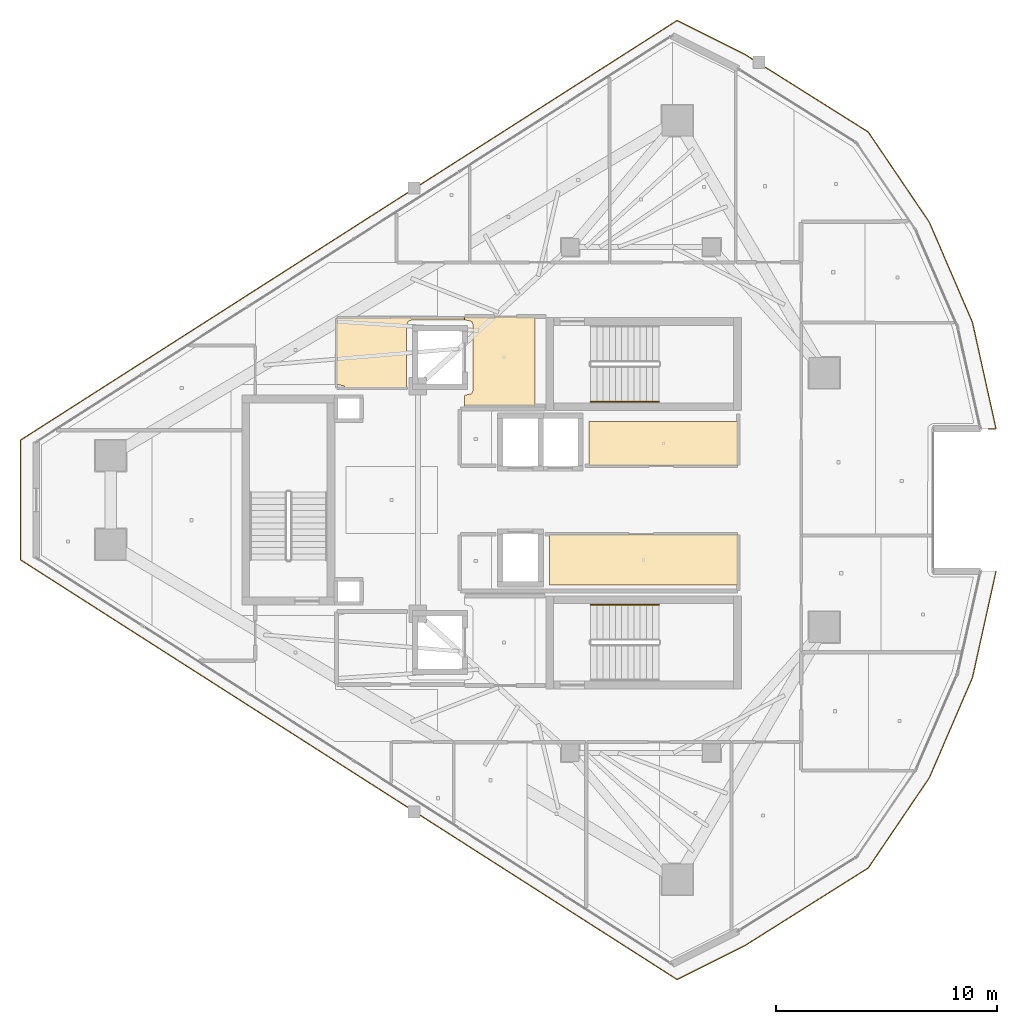
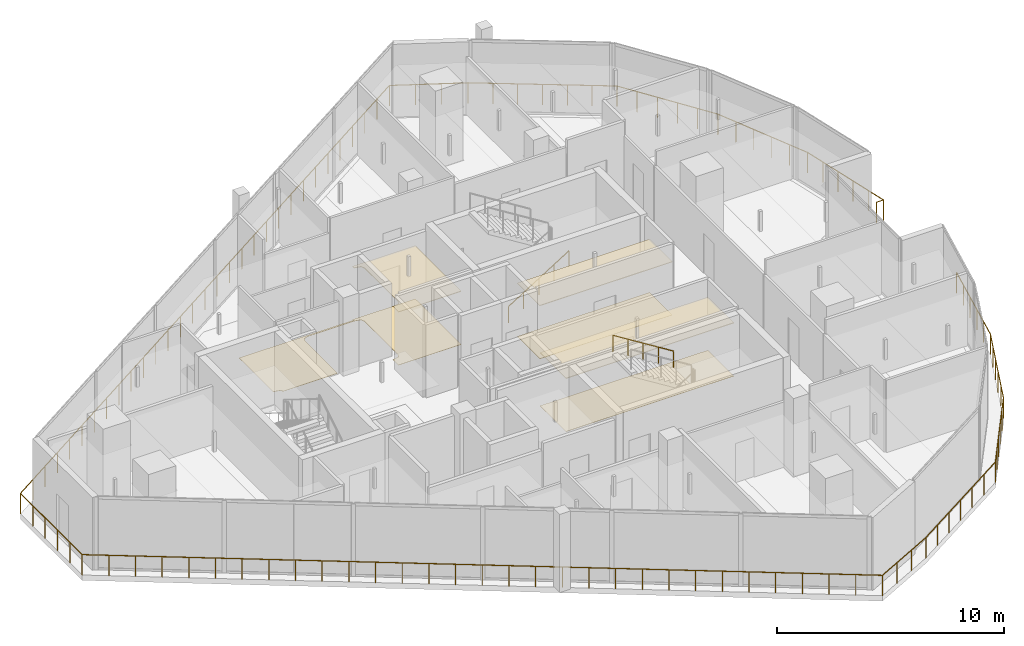
# One storey, part 22 of 24: 7 coverings, 3 railings.
"""IFC4 building model written with IfcOpenShell, lengths in metres."""

from ifc_helpers import new_model, si_unit, direction, frame, origin, origin_2d, place, context, subcontext, project, spatial, polyline, circle, outline, extrude, material, layer, layer_set, type_object, element, save


model = new_model("IFC4")

# Units and contexts
model_context = context("Model", 3, precision=1e-05, world=origin(), true_north=direction((0.0, 1.0)))
body_context = subcontext(model_context, "Body", "Model", "MODEL_VIEW")
ifc_project = project(units=[si_unit("LENGTHUNIT", "METRE"), si_unit("AREAUNIT", "SQUARE_METRE"), si_unit("VOLUMEUNIT", "CUBIC_METRE"), si_unit("PLANEANGLEUNIT", "RADIAN"), si_unit("MASSUNIT", "GRAM", prefix="KILO")], contexts=[model_context])

# Site, building, storey
site_placement = place(None, origin())
site = spatial("IfcSite", under=ifc_project, at=site_placement, CompositionType="ELEMENT")
building_placement = place(site_placement, origin())
building = spatial("IfcBuilding", under=site, at=building_placement, Name="Qorvath Tower", CompositionType="ELEMENT")
storey_placement = place(building_placement, frame((0.0, 0.0, 318.60009765625)))
storey = spatial("IfcBuildingStorey", under=building, at=storey_placement, Name="L74", CompositionType="ELEMENT", Elevation=318.60009765625)

# Coverings
ifc_material_1 = material(Name="Acoustic mineral fibre ceiling tile", Category="gypsum")
ifc_layer_1 = layer(ifc_material_1, 0.030029296875)
ifc_layer_set_1 = layer_set([ifc_layer_1], Name="COV-CEIL")
covering_type_1 = type_object("IfcCoveringType", Name="COV-CEIL", PredefinedType="CEILING", material=ifc_layer_set_1)
covering_1_placement = place(storey_placement, frame((0.0, 0.0, 2.849853515625)))
element("IfcCovering", 1, at=covering_1_placement, inside=storey, type_object=covering_type_1, Name="L74 Suspended Acoustic Ceiling 001", PredefinedType="CEILING", context=body_context, shape_type="SweptSolid", body=[
    extrude(outline(polyline([(-25.18994140625, 4.2548828125), (-25.18994140625, 8.294921875), (-28.375, 8.294921875), (-28.375, 8.159912109375), (-28.063232421875, 8.086669921875), (-27.989990234375, 7.909912109375), (-27.989990234375, 4.989990234375), (-28.063232421875, 4.813232421875), (-28.375, 4.739990234375), (-28.375, 4.2548828125), (-25.18994140625, 4.2548828125)])), origin(), (0.0, 0.0, 1.0), 0.030029296875),
])
covering_2_placement = place(storey_placement, frame((0.0, 0.0, 2.849853515625)))
element("IfcCovering", 2, at=covering_2_placement, inside=storey, type_object=covering_type_1, Name="L74 Suspended Acoustic Ceiling 003", PredefinedType="CEILING", context=body_context, shape_type="SweptSolid", body=[
    extrude(outline(polyline([(-16.0048828125, 3.56005859375), (-22.739990234375, 3.56005859375), (-22.739990234375, 1.56494140625), (-16.0048828125, 1.56494140625), (-16.0048828125, 3.56005859375)])), origin(), (0.0, 0.0, 1.0), 0.030029296875),
])
covering_3_placement = place(storey_placement, frame((0.0, 0.0, 2.849853515625)))
element("IfcCovering", 3, at=covering_3_placement, inside=storey, type_object=covering_type_1, Name="L74 Suspended Acoustic Ceiling 005", PredefinedType="CEILING", context=body_context, shape_type="SweptSolid", body=[
    extrude(outline(polyline([(-24.5400390625, -1.56494140625), (-24.5400390625, -3.85009765625), (-16.0048828125, -3.85009765625), (-16.0048828125, -1.56494140625), (-24.5400390625, -1.56494140625)])), origin(), (0.0, 0.0, 1.0), 0.030029296875),
])
ifc_material_2 = material(Name="Low-VOC modular carpet tile", Category="textile")
ifc_layer_2 = layer(ifc_material_2, 0.014892578125)
ifc_layer_set_2 = layer_set([ifc_layer_2], Name="COV-FLOOR-CPT")
covering_type_2 = type_object("IfcCoveringType", Name="COV-FLOOR-CPT", PredefinedType="FLOORING", material=ifc_layer_set_2)
covering_4_placement = place(storey_placement, origin())
element("IfcCovering", 4, at=covering_4_placement, inside=storey, type_object=covering_type_2, Name="L74 Floor Finish 003", PredefinedType="FLOORING", context=body_context, shape_type="SweptSolid", body=[
    extrude(outline(polyline([(-16.0048828125, 3.56005859375), (-22.739990234375, 3.56005859375), (-22.739990234375, 1.56494140625), (-16.0048828125, 1.56494140625), (-16.0048828125, 3.56005859375)])), origin(), (0.0, 0.0, 1.0), 0.014892578125),
])
covering_5_placement = place(storey_placement, origin())
element("IfcCovering", 5, at=covering_5_placement, inside=storey, type_object=covering_type_2, Name="L74 Floor Finish 005", PredefinedType="FLOORING", context=body_context, shape_type="SweptSolid", body=[
    extrude(outline(polyline([(-24.5400390625, -1.56494140625), (-24.5400390625, -3.85009765625), (-16.0048828125, -3.85009765625), (-16.0048828125, -1.56494140625), (-24.5400390625, -1.56494140625)])), origin(), (0.0, 0.0, 1.0), 0.014892578125),
])
ifc_material_3 = material(Name="Polished epoxy terrazzo flooring", Category="concrete")
ifc_layer_3 = layer(ifc_material_3, 0.02001953125)
ifc_layer_set_3 = layer_set([ifc_layer_3], Name="COV-FLOOR-TRZ")
covering_type_3 = type_object("IfcCoveringType", Name="COV-FLOOR-TRZ", PredefinedType="FLOORING", material=ifc_layer_set_3)
covering_6_placement = place(storey_placement, origin())
element("IfcCovering", 6, at=covering_6_placement, inside=storey, type_object=covering_type_3, Name="L74 Floor Finish 001", PredefinedType="FLOORING", context=body_context, shape_type="SweptSolid", body=[
    extrude(outline(polyline([(-25.18994140625, 4.2548828125), (-25.18994140625, 8.294921875), (-28.375, 8.294921875), (-28.375, 8.159912109375), (-28.063232421875, 8.086669921875), (-27.989990234375, 7.909912109375), (-27.989990234375, 4.989990234375), (-28.063232421875, 4.813232421875), (-28.375, 4.739990234375), (-28.375, 4.2548828125), (-25.18994140625, 4.2548828125)])), origin(), (0.0, 0.0, 1.0), 0.014892578125),
])
covering_7_placement = place(storey_placement, origin())
element("IfcCovering", 7, at=covering_7_placement, inside=storey, type_object=covering_type_3, Name="L74 Floor Finish 007", PredefinedType="FLOORING", context=body_context, shape_type="SweptSolid", body=[
    extrude(outline(polyline([(-31.010009765625, 5.054931640625), (-31.010009765625, 7.909912109375), (-30.936767578125, 8.086669921875), (-30.760009765625, 8.159912109375), (-28.39306640625, 8.159912109375), (-28.39306640625, 8.2451171875), (-34.175048828125, 8.2451171875), (-34.175048828125, 5.239990234375), (-33.833251953125, 5.166748046875), (-33.786865234375, 5.054931640625), (-31.010009765625, 5.054931640625)])), origin(), (0.0, 0.0, 1.0), 0.014892578125),
])

# Railings
ifc_material_4 = material(Name="Laminated safety glass and stainless steel AISI 316", Category="steel")
railing_type_1 = type_object("IfcRailingType", Name="RL-EXT-GRD", PredefinedType="GUARDRAIL", material=ifc_material_4)
railing_1_placement = place(storey_placement, frame((-4.31640625, -3.223876953125, 0.0)))
element("IfcRailing", 8, at=railing_1_placement, inside=storey, type_object=railing_type_1, Name="Loggia Perimeter Guardrail L74-1.1", PredefinedType="GUARDRAIL", context=body_context, shape_type="SweptSolid", body=[
    extrude(circle(Radius=0.02392578125, at=origin_2d()), frame((0.0, 0.0, 1.09619140625), z_axis=(-0.21612395547, -0.976365933384, 0.0), x_axis=(0.976365933384, -0.21612395547, 0.0)), (0.0, 0.0, 1.0), 4.9365234375),
    extrude(circle(Radius=0.02392578125, at=origin_2d()), frame((-1.06689453125, -4.81982421875, 1.09619140625), z_axis=(-0.395488481497, -0.918470936396, 0.0), x_axis=(0.918470936396, -0.395488481497, 0.0)), (0.0, 0.0, 1.0), 4.936767578125),
    extrude(circle(Radius=0.02392578125, at=origin_2d()), frame((-3.019287109375, -9.35400390625, 1.09619140625), z_axis=(-0.560802218199, -0.827949800449, 0.0), x_axis=(0.827949800449, -0.560802218199, 0.0)), (0.0, 0.0, 1.0), 4.936767578125),
    extrude(circle(Radius=0.02392578125, at=origin_2d()), frame((-5.787841796875, -13.44140625, 1.09619140625), z_axis=(-0.846494813858, -0.532396966663, 0.0), x_axis=(0.532396966663, -0.846494813858, 0.0)), (0.0, 0.0, 1.0), 6.56494140625),
    extrude(circle(Radius=0.02392578125, at=origin_2d()), frame((-11.344970703125, -16.9365234375, 1.09619140625), z_axis=(-0.894427191, -0.4472135955, 0.0), x_axis=(0.4472135955, -0.894427191, 0.0)), (0.0, 0.0, 1.0), 3.4677734375),
    extrude(circle(Radius=0.02392578125, at=origin_2d()), frame((-14.446533203125, -18.4873046875, 1.09619140625), z_axis=(-0.842603443016, 0.538534527971, 0.0), x_axis=(-0.538534527971, -0.842603443016, 0.0)), (0.0, 0.0, 1.0), 35.27587890625),
    extrude(circle(Radius=0.02392578125, at=origin_2d()), frame((-44.170166015625, 0.510009765625, 1.09619140625), z_axis=(0.0, 1.0, 0.0), x_axis=(-1.0, 0.0, 0.0)), (0.0, 0.0, 1.0), 5.427734375),
    extrude(circle(Radius=0.02392578125, at=origin_2d()), frame((-44.170166015625, 5.937744140625, 1.09619140625), z_axis=(0.842603443016, 0.538534527971, 0.0), x_axis=(-0.538534527971, 0.842603443016, 0.0)), (0.0, 0.0, 1.0), 35.27587890625),
    extrude(circle(Radius=0.02392578125, at=origin_2d()), frame((-14.446533203125, 24.93505859375, 1.09619140625), z_axis=(0.894427191, -0.4472135955, 0.0), x_axis=(0.4472135955, 0.894427191, 0.0)), (0.0, 0.0, 1.0), 3.4677734375),
    extrude(circle(Radius=0.02392578125, at=origin_2d()), frame((-11.344970703125, 23.38427734375, 1.09619140625), z_axis=(0.846494813858, -0.532396966663, 0.0), x_axis=(0.532396966663, 0.846494813858, 0.0)), (0.0, 0.0, 1.0), 6.56494140625),
    extrude(circle(Radius=0.02392578125, at=origin_2d()), frame((-5.787841796875, 19.88916015625, 1.09619140625), z_axis=(0.560802218199, -0.827949800449, 0.0), x_axis=(0.827949800449, 0.560802218199, 0.0)), (0.0, 0.0, 1.0), 4.936767578125),
    extrude(circle(Radius=0.02392578125, at=origin_2d()), frame((-3.019287109375, 15.8017578125, 1.09619140625), z_axis=(0.395488481497, -0.918470936396, 0.0), x_axis=(0.918470936396, 0.395488481497, 0.0)), (0.0, 0.0, 1.0), 4.936767578125),
    extrude(circle(Radius=0.02392578125, at=origin_2d()), frame((-1.06689453125, 11.267578125, 1.09619140625), z_axis=(0.21612395547, -0.976365933384, 0.0), x_axis=(0.976365933384, 0.21612395547, 0.0)), (0.0, 0.0, 1.0), 4.9365234375),
    extrude(circle(Radius=0.02392578125, at=origin_2d()), frame((0.0, 6.44775390625, 1.09619140625), z_axis=(-1.0, 0.0, 0.0), x_axis=(0.0, -1.0, 0.0)), (0.0, 0.0, 1.0), 0.354248046875),
    extrude(circle(Radius=0.02099609375, at=origin_2d()), origin(), (0.0, 0.0, 1.0), 1.072021484375),
    extrude(circle(Radius=0.02099609375, at=origin_2d()), frame((-0.21337890625, -0.9638671875, 0.0)), (0.0, 0.0, 1.0), 1.072021484375),
    extrude(circle(Radius=0.02099609375, at=origin_2d()), frame((-0.4267578125, -1.927978515625, 0.0)), (0.0, 0.0, 1.0), 1.072021484375),
    extrude(circle(Radius=0.02099609375, at=origin_2d()), frame((-0.64013671875, -2.891845703125, 0.0)), (0.0, 0.0, 1.0), 1.072021484375),
    extrude(circle(Radius=0.02099609375, at=origin_2d()), frame((-0.853515625, -3.85595703125, 0.0)), (0.0, 0.0, 1.0), 1.072021484375),
    extrude(circle(Radius=0.02099609375, at=origin_2d()), frame((-1.06689453125, -4.81982421875, 0.0)), (0.0, 0.0, 1.0), 1.072021484375),
    extrude(circle(Radius=0.02099609375, at=origin_2d()), frame((-1.457275390625, -5.7265625, 0.0)), (0.0, 0.0, 1.0), 1.072021484375),
    extrude(circle(Radius=0.02099609375, at=origin_2d()), frame((-1.847900390625, -6.633544921875, 0.0)), (0.0, 0.0, 1.0), 1.072021484375),
    extrude(circle(Radius=0.02099609375, at=origin_2d()), frame((-2.23828125, -7.540283203125, 0.0)), (0.0, 0.0, 1.0), 1.072021484375),
    extrude(circle(Radius=0.02099609375, at=origin_2d()), frame((-2.62890625, -8.447265625, 0.0)), (0.0, 0.0, 1.0), 1.072021484375),
    extrude(circle(Radius=0.02099609375, at=origin_2d()), frame((-3.019287109375, -9.35400390625, 0.0)), (0.0, 0.0, 1.0), 1.072021484375),
    extrude(circle(Radius=0.02099609375, at=origin_2d()), frame((-3.572998046875, -10.17138671875, 0.0)), (0.0, 0.0, 1.0), 1.072021484375),
    extrude(circle(Radius=0.02099609375, at=origin_2d()), frame((-4.126708984375, -10.989013671875, 0.0)), (0.0, 0.0, 1.0), 1.072021484375),
    extrude(circle(Radius=0.02099609375, at=origin_2d()), frame((-4.680419921875, -11.806396484375, 0.0)), (0.0, 0.0, 1.0), 1.072021484375),
    extrude(circle(Radius=0.02099609375, at=origin_2d()), frame((-5.234130859375, -12.6240234375, 0.0)), (0.0, 0.0, 1.0), 1.072021484375),
    extrude(circle(Radius=0.02099609375, at=origin_2d()), frame((-5.787841796875, -13.44140625, 0.0)), (0.0, 0.0, 1.0), 1.072021484375),
    extrude(circle(Radius=0.02099609375, at=origin_2d()), frame((-6.714111328125, -14.02392578125, 0.0)), (0.0, 0.0, 1.0), 1.072021484375),
    extrude(circle(Radius=0.02099609375, at=origin_2d()), frame((-7.64013671875, -14.6064453125, 0.0)), (0.0, 0.0, 1.0), 1.072021484375),
    extrude(circle(Radius=0.02099609375, at=origin_2d()), frame((-8.56640625, -15.18896484375, 0.0)), (0.0, 0.0, 1.0), 1.072021484375),
    extrude(circle(Radius=0.02099609375, at=origin_2d()), frame((-9.49267578125, -15.771484375, 0.0)), (0.0, 0.0, 1.0), 1.072021484375),
    extrude(circle(Radius=0.02099609375, at=origin_2d()), frame((-10.418701171875, -16.35400390625, 0.0)), (0.0, 0.0, 1.0), 1.072021484375),
    extrude(circle(Radius=0.02099609375, at=origin_2d()), frame((-11.344970703125, -16.9365234375, 0.0)), (0.0, 0.0, 1.0), 1.072021484375),
    extrude(circle(Radius=0.02099609375, at=origin_2d()), frame((-12.37890625, -17.453369140625, 0.0)), (0.0, 0.0, 1.0), 1.072021484375),
    extrude(circle(Radius=0.02099609375, at=origin_2d()), frame((-13.41259765625, -17.970458984375, 0.0)), (0.0, 0.0, 1.0), 1.072021484375),
    extrude(circle(Radius=0.02099609375, at=origin_2d()), frame((-14.446533203125, -18.4873046875, 0.0)), (0.0, 0.0, 1.0), 1.072021484375),
    extrude(circle(Radius=0.02099609375, at=origin_2d()), frame((-15.437255859375, -17.85400390625, 0.0)), (0.0, 0.0, 1.0), 1.072021484375),
    extrude(circle(Radius=0.02099609375, at=origin_2d()), frame((-16.42822265625, -17.220703125, 0.0)), (0.0, 0.0, 1.0), 1.072021484375),
    extrude(circle(Radius=0.02099609375, at=origin_2d()), frame((-17.4189453125, -16.587646484375, 0.0)), (0.0, 0.0, 1.0), 1.072021484375),
    extrude(circle(Radius=0.02099609375, at=origin_2d()), frame((-18.40966796875, -15.954345703125, 0.0)), (0.0, 0.0, 1.0), 1.072021484375),
    extrude(circle(Radius=0.02099609375, at=origin_2d()), frame((-19.400390625, -15.321044921875, 0.0)), (0.0, 0.0, 1.0), 1.072021484375),
    extrude(circle(Radius=0.02099609375, at=origin_2d()), frame((-20.391357421875, -14.687744140625, 0.0)), (0.0, 0.0, 1.0), 1.072021484375),
    extrude(circle(Radius=0.02099609375, at=origin_2d()), frame((-21.382080078125, -14.0546875, 0.0)), (0.0, 0.0, 1.0), 1.072021484375),
    extrude(circle(Radius=0.02099609375, at=origin_2d()), frame((-22.372802734375, -13.42138671875, 0.0)), (0.0, 0.0, 1.0), 1.072021484375),
    extrude(circle(Radius=0.02099609375, at=origin_2d()), frame((-23.363525390625, -12.7880859375, 0.0)), (0.0, 0.0, 1.0), 1.072021484375),
    extrude(circle(Radius=0.02099609375, at=origin_2d()), frame((-24.3544921875, -12.15478515625, 0.0)), (0.0, 0.0, 1.0), 1.072021484375),
    extrude(circle(Radius=0.02099609375, at=origin_2d()), frame((-25.34521484375, -11.521728515625, 0.0)), (0.0, 0.0, 1.0), 1.072021484375),
    extrude(circle(Radius=0.02099609375, at=origin_2d()), frame((-26.3359375, -10.888427734375, 0.0)), (0.0, 0.0, 1.0), 1.072021484375),
    extrude(circle(Radius=0.02099609375, at=origin_2d()), frame((-27.32666015625, -10.255126953125, 0.0)), (0.0, 0.0, 1.0), 1.072021484375),
    extrude(circle(Radius=0.02099609375, at=origin_2d()), frame((-28.317626953125, -9.621826171875, 0.0)), (0.0, 0.0, 1.0), 1.072021484375),
    extrude(circle(Radius=0.02099609375, at=origin_2d()), frame((-29.308349609375, -8.98876953125, 0.0)), (0.0, 0.0, 1.0), 1.072021484375),
    extrude(circle(Radius=0.02099609375, at=origin_2d()), frame((-30.299072265625, -8.35546875, 0.0)), (0.0, 0.0, 1.0), 1.072021484375),
    extrude(circle(Radius=0.02099609375, at=origin_2d()), frame((-31.2900390625, -7.72216796875, 0.0)), (0.0, 0.0, 1.0), 1.072021484375),
    extrude(circle(Radius=0.02099609375, at=origin_2d()), frame((-32.28076171875, -7.0888671875, 0.0)), (0.0, 0.0, 1.0), 1.072021484375),
    extrude(circle(Radius=0.02099609375, at=origin_2d()), frame((-33.271484375, -6.45556640625, 0.0)), (0.0, 0.0, 1.0), 1.072021484375),
    extrude(circle(Radius=0.02099609375, at=origin_2d()), frame((-34.26220703125, -5.822509765625, 0.0)), (0.0, 0.0, 1.0), 1.072021484375),
    extrude(circle(Radius=0.02099609375, at=origin_2d()), frame((-35.253173828125, -5.189208984375, 0.0)), (0.0, 0.0, 1.0), 1.072021484375),
    extrude(circle(Radius=0.02099609375, at=origin_2d()), frame((-36.243896484375, -4.555908203125, 0.0)), (0.0, 0.0, 1.0), 1.072021484375),
    extrude(circle(Radius=0.02099609375, at=origin_2d()), frame((-37.234619140625, -3.922607421875, 0.0)), (0.0, 0.0, 1.0), 1.072021484375),
    extrude(circle(Radius=0.02099609375, at=origin_2d()), frame((-38.225341796875, -3.28955078125, 0.0)), (0.0, 0.0, 1.0), 1.072021484375),
    extrude(circle(Radius=0.02099609375, at=origin_2d()), frame((-39.21630859375, -2.65625, 0.0)), (0.0, 0.0, 1.0), 1.072021484375),
    extrude(circle(Radius=0.02099609375, at=origin_2d()), frame((-40.20703125, -2.02294921875, 0.0)), (0.0, 0.0, 1.0), 1.072021484375),
    extrude(circle(Radius=0.02099609375, at=origin_2d()), frame((-41.19775390625, -1.3896484375, 0.0)), (0.0, 0.0, 1.0), 1.072021484375),
    extrude(circle(Radius=0.02099609375, at=origin_2d()), frame((-42.1884765625, -0.756591796875, 0.0)), (0.0, 0.0, 1.0), 1.072021484375),
    extrude(circle(Radius=0.02099609375, at=origin_2d()), frame((-43.179443359375, -0.123291015625, 0.0)), (0.0, 0.0, 1.0), 1.072021484375),
    extrude(circle(Radius=0.02099609375, at=origin_2d()), frame((-44.170166015625, 0.510009765625, 0.0)), (0.0, 0.0, 1.0), 1.072021484375),
    extrude(circle(Radius=0.02099609375, at=origin_2d()), frame((-44.170166015625, 1.595458984375, 0.0)), (0.0, 0.0, 1.0), 1.072021484375),
    extrude(circle(Radius=0.02099609375, at=origin_2d()), frame((-44.170166015625, 2.68115234375, 0.0)), (0.0, 0.0, 1.0), 1.072021484375),
    extrude(circle(Radius=0.02099609375, at=origin_2d()), frame((-44.170166015625, 3.7666015625, 0.0)), (0.0, 0.0, 1.0), 1.072021484375),
    extrude(circle(Radius=0.02099609375, at=origin_2d()), frame((-44.170166015625, 4.852294921875, 0.0)), (0.0, 0.0, 1.0), 1.072021484375),
    extrude(circle(Radius=0.02099609375, at=origin_2d()), frame((-44.170166015625, 5.937744140625, 0.0)), (0.0, 0.0, 1.0), 1.072021484375),
    extrude(circle(Radius=0.02099609375, at=origin_2d()), frame((-43.179443359375, 6.571044921875, 0.0)), (0.0, 0.0, 1.0), 1.072021484375),
    extrude(circle(Radius=0.02099609375, at=origin_2d()), frame((-42.1884765625, 7.204345703125, 0.0)), (0.0, 0.0, 1.0), 1.072021484375),
    extrude(circle(Radius=0.02099609375, at=origin_2d()), frame((-41.19775390625, 7.83740234375, 0.0)), (0.0, 0.0, 1.0), 1.072021484375),
    extrude(circle(Radius=0.02099609375, at=origin_2d()), frame((-40.20703125, 8.470703125, 0.0)), (0.0, 0.0, 1.0), 1.072021484375),
    extrude(circle(Radius=0.02099609375, at=origin_2d()), frame((-39.21630859375, 9.10400390625, 0.0)), (0.0, 0.0, 1.0), 1.072021484375),
    extrude(circle(Radius=0.02099609375, at=origin_2d()), frame((-38.225341796875, 9.7373046875, 0.0)), (0.0, 0.0, 1.0), 1.072021484375),
    extrude(circle(Radius=0.02099609375, at=origin_2d()), frame((-37.234619140625, 10.370361328125, 0.0)), (0.0, 0.0, 1.0), 1.072021484375),
    extrude(circle(Radius=0.02099609375, at=origin_2d()), frame((-36.243896484375, 11.003662109375, 0.0)), (0.0, 0.0, 1.0), 1.072021484375),
    extrude(circle(Radius=0.02099609375, at=origin_2d()), frame((-35.253173828125, 11.636962890625, 0.0)), (0.0, 0.0, 1.0), 1.072021484375),
    extrude(circle(Radius=0.02099609375, at=origin_2d()), frame((-34.26220703125, 12.270263671875, 0.0)), (0.0, 0.0, 1.0), 1.072021484375),
    extrude(circle(Radius=0.02099609375, at=origin_2d()), frame((-33.271484375, 12.9033203125, 0.0)), (0.0, 0.0, 1.0), 1.072021484375),
    extrude(circle(Radius=0.02099609375, at=origin_2d()), frame((-32.28076171875, 13.53662109375, 0.0)), (0.0, 0.0, 1.0), 1.072021484375),
    extrude(circle(Radius=0.02099609375, at=origin_2d()), frame((-31.2900390625, 14.169921875, 0.0)), (0.0, 0.0, 1.0), 1.072021484375),
    extrude(circle(Radius=0.02099609375, at=origin_2d()), frame((-30.299072265625, 14.80322265625, 0.0)), (0.0, 0.0, 1.0), 1.072021484375),
    extrude(circle(Radius=0.02099609375, at=origin_2d()), frame((-29.308349609375, 15.4365234375, 0.0)), (0.0, 0.0, 1.0), 1.072021484375),
    extrude(circle(Radius=0.02099609375, at=origin_2d()), frame((-28.317626953125, 16.069580078125, 0.0)), (0.0, 0.0, 1.0), 1.072021484375),
    extrude(circle(Radius=0.02099609375, at=origin_2d()), frame((-27.32666015625, 16.702880859375, 0.0)), (0.0, 0.0, 1.0), 1.072021484375),
    extrude(circle(Radius=0.02099609375, at=origin_2d()), frame((-26.3359375, 17.336181640625, 0.0)), (0.0, 0.0, 1.0), 1.072021484375),
    extrude(circle(Radius=0.02099609375, at=origin_2d()), frame((-25.34521484375, 17.969482421875, 0.0)), (0.0, 0.0, 1.0), 1.072021484375),
    extrude(circle(Radius=0.02099609375, at=origin_2d()), frame((-24.3544921875, 18.6025390625, 0.0)), (0.0, 0.0, 1.0), 1.072021484375),
    extrude(circle(Radius=0.02099609375, at=origin_2d()), frame((-23.363525390625, 19.23583984375, 0.0)), (0.0, 0.0, 1.0), 1.072021484375),
    extrude(circle(Radius=0.02099609375, at=origin_2d()), frame((-22.372802734375, 19.869140625, 0.0)), (0.0, 0.0, 1.0), 1.072021484375),
    extrude(circle(Radius=0.02099609375, at=origin_2d()), frame((-21.382080078125, 20.50244140625, 0.0)), (0.0, 0.0, 1.0), 1.072021484375),
    extrude(circle(Radius=0.02099609375, at=origin_2d()), frame((-20.391357421875, 21.135498046875, 0.0)), (0.0, 0.0, 1.0), 1.072021484375),
    extrude(circle(Radius=0.02099609375, at=origin_2d()), frame((-19.400390625, 21.768798828125, 0.0)), (0.0, 0.0, 1.0), 1.072021484375),
    extrude(circle(Radius=0.02099609375, at=origin_2d()), frame((-18.40966796875, 22.402099609375, 0.0)), (0.0, 0.0, 1.0), 1.072021484375),
    extrude(circle(Radius=0.02099609375, at=origin_2d()), frame((-17.4189453125, 23.035400390625, 0.0)), (0.0, 0.0, 1.0), 1.072021484375),
    extrude(circle(Radius=0.02099609375, at=origin_2d()), frame((-16.42822265625, 23.66845703125, 0.0)), (0.0, 0.0, 1.0), 1.072021484375),
    extrude(circle(Radius=0.02099609375, at=origin_2d()), frame((-15.437255859375, 24.3017578125, 0.0)), (0.0, 0.0, 1.0), 1.072021484375),
    extrude(circle(Radius=0.02099609375, at=origin_2d()), frame((-14.446533203125, 24.93505859375, 0.0)), (0.0, 0.0, 1.0), 1.072021484375),
    extrude(circle(Radius=0.02099609375, at=origin_2d()), frame((-13.41259765625, 24.418212890625, 0.0)), (0.0, 0.0, 1.0), 1.072021484375),
    extrude(circle(Radius=0.02099609375, at=origin_2d()), frame((-12.37890625, 23.901123046875, 0.0)), (0.0, 0.0, 1.0), 1.072021484375),
    extrude(circle(Radius=0.02099609375, at=origin_2d()), frame((-11.344970703125, 23.38427734375, 0.0)), (0.0, 0.0, 1.0), 1.072021484375),
    extrude(circle(Radius=0.02099609375, at=origin_2d()), frame((-10.418701171875, 22.8017578125, 0.0)), (0.0, 0.0, 1.0), 1.072021484375),
    extrude(circle(Radius=0.02099609375, at=origin_2d()), frame((-9.49267578125, 22.21923828125, 0.0)), (0.0, 0.0, 1.0), 1.072021484375),
    extrude(circle(Radius=0.02099609375, at=origin_2d()), frame((-8.56640625, 21.63671875, 0.0)), (0.0, 0.0, 1.0), 1.072021484375),
    extrude(circle(Radius=0.02099609375, at=origin_2d()), frame((-7.64013671875, 21.05419921875, 0.0)), (0.0, 0.0, 1.0), 1.072021484375),
    extrude(circle(Radius=0.02099609375, at=origin_2d()), frame((-6.714111328125, 20.4716796875, 0.0)), (0.0, 0.0, 1.0), 1.072021484375),
    extrude(circle(Radius=0.02099609375, at=origin_2d()), frame((-5.787841796875, 19.88916015625, 0.0)), (0.0, 0.0, 1.0), 1.072021484375),
    extrude(circle(Radius=0.02099609375, at=origin_2d()), frame((-5.234130859375, 19.07177734375, 0.0)), (0.0, 0.0, 1.0), 1.072021484375),
    extrude(circle(Radius=0.02099609375, at=origin_2d()), frame((-4.680419921875, 18.254150390625, 0.0)), (0.0, 0.0, 1.0), 1.072021484375),
    extrude(circle(Radius=0.02099609375, at=origin_2d()), frame((-4.126708984375, 17.436767578125, 0.0)), (0.0, 0.0, 1.0), 1.072021484375),
    extrude(circle(Radius=0.02099609375, at=origin_2d()), frame((-3.572998046875, 16.619140625, 0.0)), (0.0, 0.0, 1.0), 1.072021484375),
    extrude(circle(Radius=0.02099609375, at=origin_2d()), frame((-3.019287109375, 15.8017578125, 0.0)), (0.0, 0.0, 1.0), 1.072021484375),
    extrude(circle(Radius=0.02099609375, at=origin_2d()), frame((-2.62890625, 14.89501953125, 0.0)), (0.0, 0.0, 1.0), 1.072021484375),
    extrude(circle(Radius=0.02099609375, at=origin_2d()), frame((-2.23828125, 13.988037109375, 0.0)), (0.0, 0.0, 1.0), 1.072021484375),
    extrude(circle(Radius=0.02099609375, at=origin_2d()), frame((-1.847900390625, 13.081298828125, 0.0)), (0.0, 0.0, 1.0), 1.072021484375),
    extrude(circle(Radius=0.02099609375, at=origin_2d()), frame((-1.457275390625, 12.17431640625, 0.0)), (0.0, 0.0, 1.0), 1.072021484375),
    extrude(circle(Radius=0.02099609375, at=origin_2d()), frame((-1.06689453125, 11.267578125, 0.0)), (0.0, 0.0, 1.0), 1.072021484375),
    extrude(circle(Radius=0.02099609375, at=origin_2d()), frame((-0.853515625, 10.3037109375, 0.0)), (0.0, 0.0, 1.0), 1.072021484375),
    extrude(circle(Radius=0.02099609375, at=origin_2d()), frame((-0.64013671875, 9.339599609375, 0.0)), (0.0, 0.0, 1.0), 1.072021484375),
    extrude(circle(Radius=0.02099609375, at=origin_2d()), frame((-0.4267578125, 8.375732421875, 0.0)), (0.0, 0.0, 1.0), 1.072021484375),
    extrude(circle(Radius=0.02099609375, at=origin_2d()), frame((-0.21337890625, 7.41162109375, 0.0)), (0.0, 0.0, 1.0), 1.072021484375),
    extrude(circle(Radius=0.02099609375, at=origin_2d()), frame((0.0, 6.44775390625, 0.0)), (0.0, 0.0, 1.0), 1.072021484375),
    extrude(circle(Radius=0.02099609375, at=origin_2d()), frame((-0.354248046875, 6.44775390625, 0.0)), (0.0, 0.0, 1.0), 1.072021484375),
])
ifc_material_5 = material(Name="Brushed stainless steel AISI 304", Category="steel")
railing_type_2 = type_object("IfcRailingType", Name="RL-STR-HND", PredefinedType="HANDRAIL", material=ifc_material_5)
railing_2_placement = place(storey_placement, frame((-22.669921875, 4.449951171875, 0.1748046875)))
element("IfcRailing", 9, at=railing_2_placement, inside=storey, type_object=railing_type_2, Name="L74 TS1 stair handrail 1", PredefinedType="HANDRAIL", context=body_context, shape_type="SweptSolid", body=[
    extrude(circle(Radius=0.02392578125, at=origin_2d()), frame((0.0, 0.0, 0.8759765625), z_axis=(0.847979421464, 0.0, 0.530029150871), x_axis=(0.0, 1.0, 0.0)), (0.0, 0.0, 1.0), 3.632080078125),
    extrude(circle(Radius=0.02099609375, at=origin_2d()), origin(), (0.0, 0.0, 1.0), 0.851806640625),
    extrude(circle(Radius=0.02099609375, at=origin_2d()), frame((0.77001953125, 0.0, 0.481201171875)), (0.0, 0.0, 1.0), 0.851806640625),
    extrude(circle(Radius=0.02099609375, at=origin_2d()), frame((1.5400390625, 0.0, 0.96240234375)), (0.0, 0.0, 1.0), 0.851806640625),
    extrude(circle(Radius=0.02099609375, at=origin_2d()), frame((2.309814453125, 0.0, 1.44384765625)), (0.0, 0.0, 1.0), 0.851806640625),
    extrude(circle(Radius=0.02099609375, at=origin_2d()), frame((3.079833984375, 0.0, 1.925048828125)), (0.0, 0.0, 1.0), 0.851806640625),
])
railing_3_placement = place(storey_placement, frame((-19.590087890625, -4.739990234375, 2.27490234375)))
element("IfcRailing", 10, at=railing_3_placement, inside=storey, type_object=railing_type_2, Name="L74 TS2 stair handrail 2", PredefinedType="HANDRAIL", context=body_context, shape_type="SweptSolid", body=[
    extrude(circle(Radius=0.02392578125, at=origin_2d()), frame((0.0, 0.0, 0.8759765625), z_axis=(-0.847979421464, 0.0, 0.530029150871), x_axis=(0.0, -1.0, 0.0)), (0.0, 0.0, 1.0), 3.632080078125),
    extrude(circle(Radius=0.02099609375, at=origin_2d()), origin(), (0.0, 0.0, 1.0), 0.851806640625),
    extrude(circle(Radius=0.02099609375, at=origin_2d()), frame((-0.77001953125, 0.0, 0.481201171875)), (0.0, 0.0, 1.0), 0.851806640625),
    extrude(circle(Radius=0.02099609375, at=origin_2d()), frame((-1.5400390625, 0.0, 0.96240234375)), (0.0, 0.0, 1.0), 0.851806640625),
    extrude(circle(Radius=0.02099609375, at=origin_2d()), frame((-2.309814453125, 0.0, 1.44384765625)), (0.0, 0.0, 1.0), 0.851806640625),
    extrude(circle(Radius=0.02099609375, at=origin_2d()), frame((-3.079833984375, 0.0, 1.925048828125)), (0.0, 0.0, 1.0), 0.851806640625),
])

save(model, "model.ifc")
